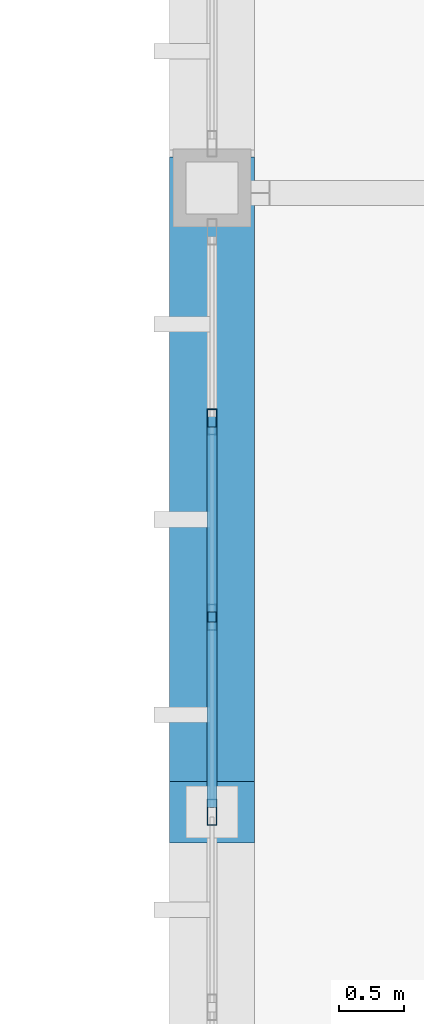
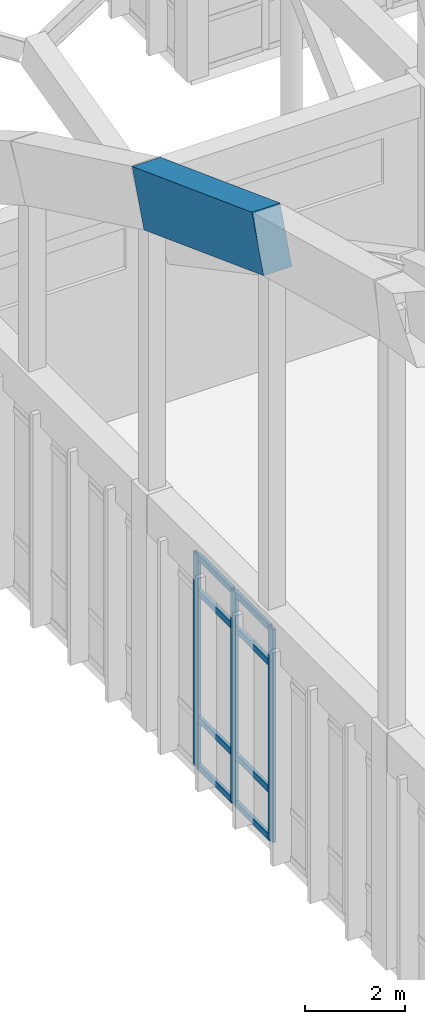
# One storey, part 66 of 236: 12 members, 1 element without a shape of its own.
"""IFC4 building model written with IfcOpenShell, lengths in metres."""

from ifc_helpers import new_model, si_unit, direction, frame, origin, origin_2d, place, context, subcontext, project, spatial, rectangle, hollow_rectangle, extrude, material, layer, layer_set, material_profile, profile_set, type_object, element, aggregate, save


model = new_model("IFC4")

# Units and contexts
model_context = context("Model", 3, precision=1e-05, world=origin(), true_north=direction((0.0, 1.0)))
body_context = subcontext(model_context, "Body", "Model", "MODEL_VIEW")
ifc_project = project(units=[si_unit("LENGTHUNIT", "METRE"), si_unit("AREAUNIT", "SQUARE_METRE"), si_unit("VOLUMEUNIT", "CUBIC_METRE"), si_unit("PLANEANGLEUNIT", "RADIAN"), si_unit("MASSUNIT", "GRAM", prefix="KILO")], contexts=[model_context])

# Site, building, storey
site_placement = place(None, origin())
site = spatial("IfcSite", under=ifc_project, at=site_placement, CompositionType="ELEMENT")
building_placement = place(site_placement, origin())
building = spatial("IfcBuilding", under=site, at=building_placement, Name="Pandanus Reach Market Hall", CompositionType="ELEMENT")
storey_placement = place(building_placement, frame((0.0, 0.0, 5.39990234375)))
storey = spatial("IfcBuildingStorey", under=building, at=storey_placement, Name="L01", CompositionType="ELEMENT", Elevation=5.39990234375)

# Member
ifc_material_1 = material(Name="Concrete N50 (50 MPa)", Category="concrete")
ifc_material_profile_1 = material_profile(ifc_material_1, rectangle(XDim=0.64990234375, YDim=1.35009765625, at=origin_2d()), Name="RC650x1350", Category="LoadBearing")
ifc_profile_set_1 = profile_set([ifc_material_profile_1], Name="Concrete N50 (50 MPa)")
member_type_1 = type_object("IfcMemberType", Name="AR-RC650-E", PredefinedType="CHORD", material=ifc_profile_set_1)
member_1_placement = place(storey_placement, frame((48.0, 72.0, 14.68017578125), z_axis=(0.0, 0.937030438748, -0.349247701294), x_axis=(-1.0, 0.0, 0.0)))
element("IfcMember", 1, at=member_1_placement, inside=storey, type_object=member_type_1, Name="Parabolic arch top chord A1.10", PredefinedType="CHORD", context=body_context, shape_type="SweptSolid", body=[
    extrude(rectangle(XDim=0.64990234375, YDim=1.35009765625, at=origin_2d()), origin(), (0.0, 0.0, 1.0), 5.12255859375),
])

# Curtain wall, members
ifc_material_2 = material(Name="Bronze anodised aluminium and low-E glass", Category="aluminium")
ifc_layer = layer(ifc_material_2, 0.199951171875, Name="CW-05")
ifc_layer_set = layer_set([ifc_layer], Name="Bronze anodised aluminium and low-E glass")
curtain_wall_type = type_object("IfcCurtainWallType", Name="CW-05", PredefinedType="NOTDEFINED", material=ifc_layer_set)
curtain_wall_placement = place(storey_placement, origin())
curtain_wall = element("IfcCurtainWall", 2, at=curtain_wall_placement, inside=storey, type_object=curtain_wall_type, Name="Glazed curtain wall CW-05 CW-0032", PredefinedType="NOTDEFINED")
ifc_material_3 = material(Name="Bronze anodised aluminium", Category="aluminium")
ifc_material_profile_2 = material_profile(ifc_material_3, hollow_rectangle(XDim=0.074951171875, YDim=0.199951171875, WallThickness=0.00439453125, at=origin_2d()), Name="ALU75x200", Category="LoadBearing")
ifc_profile_set_2 = profile_set([ifc_material_profile_2], Name="Bronze anodised aluminium")
member_type_2 = type_object("IfcMemberType", Name="CW-M2", PredefinedType="MULLION", material=ifc_profile_set_2)
member_2_placement = place(storey_placement, frame((48.0, 72.0, 0.0), z_axis=(0.0, 0.0, 1.0), x_axis=(-1.0, 0.0, 0.0)))
member_2 = element("IfcMember", 3, at=member_2_placement, type_object=member_type_2, Name="CW-05 mullion 4", PredefinedType="MULLION", context=body_context, shape_type="SweptSolid", body=[
    extrude(hollow_rectangle(XDim=0.074951171875, YDim=0.199951171875, WallThickness=0.00439453125, at=origin_2d()), origin(), (0.0, 0.0, 1.0), 5.2001953125),
])
member_3_placement = place(storey_placement, frame((48.0, 73.5, 0.0), z_axis=(0.0, 0.0, 1.0), x_axis=(-1.0, 0.0, 0.0)))
member_3 = element("IfcMember", 4, at=member_3_placement, type_object=member_type_2, Name="CW-05 mullion 5", PredefinedType="MULLION", context=body_context, shape_type="SweptSolid", body=[
    extrude(hollow_rectangle(XDim=0.074951171875, YDim=0.199951171875, WallThickness=0.00439453125, at=origin_2d()), origin(), (0.0, 0.0, 1.0), 5.2001953125),
])
member_4_placement = place(storey_placement, frame((48.0, 75.0, 0.0), z_axis=(0.0, 0.0, 1.0), x_axis=(-1.0, 0.0, 0.0)))
member_4 = element("IfcMember", 5, at=member_4_placement, type_object=member_type_2, Name="CW-05 mullion 6", PredefinedType="MULLION", context=body_context, shape_type="SweptSolid", body=[
    extrude(hollow_rectangle(XDim=0.074951171875, YDim=0.199951171875, WallThickness=0.00439453125, at=origin_2d()), origin(), (0.0, 0.0, 1.0), 5.2001953125),
])
ifc_material_profile_3 = material_profile(ifc_material_3, hollow_rectangle(XDim=0.074951171875, YDim=0.14990234375, WallThickness=0.00439453125, at=origin_2d()), Name="ALU75x150", Category="LoadBearing")
ifc_profile_set_3 = profile_set([ifc_material_profile_3], Name="Bronze anodised aluminium")
member_type_3 = type_object("IfcMemberType", Name="CW-T2", PredefinedType="USERDEFINED", material=ifc_profile_set_3)
member_5_placement = place(storey_placement, frame((48.0, 72.03759765625, 0.03759765625), z_axis=(0.0, 1.0, 0.0), x_axis=(-1.0, 0.0, 0.0)))
member_5 = element("IfcMember", 6, at=member_5_placement, type_object=member_type_3, Name="CW-05 transom 4.1", ObjectType="TRANSOM", PredefinedType="USERDEFINED", context=body_context, shape_type="SweptSolid", body=[
    extrude(hollow_rectangle(XDim=0.074951171875, YDim=0.14990234375, WallThickness=0.00439453125, at=origin_2d()), origin(), (0.0, 0.0, 1.0), 1.4248046875),
])
member_6_placement = place(storey_placement, frame((48.0, 72.03759765625, 1.2001953125), z_axis=(0.0, 1.0, 0.0), x_axis=(-1.0, 0.0, 0.0)))
member_6 = element("IfcMember", 7, at=member_6_placement, type_object=member_type_3, Name="CW-05 transom 4.2", ObjectType="TRANSOM", PredefinedType="USERDEFINED", context=body_context, shape_type="SweptSolid", body=[
    extrude(hollow_rectangle(XDim=0.074951171875, YDim=0.14990234375, WallThickness=0.00439453125, at=origin_2d()), origin(), (0.0, 0.0, 1.0), 1.4248046875),
])
member_7_placement = place(storey_placement, frame((48.0, 72.03759765625, 4.300048828125), z_axis=(0.0, 1.0, 0.0), x_axis=(-1.0, 0.0, 0.0)))
member_7 = element("IfcMember", 8, at=member_7_placement, type_object=member_type_3, Name="CW-05 transom 4.3", ObjectType="TRANSOM", PredefinedType="USERDEFINED", context=body_context, shape_type="SweptSolid", body=[
    extrude(hollow_rectangle(XDim=0.074951171875, YDim=0.14990234375, WallThickness=0.00439453125, at=origin_2d()), origin(), (0.0, 0.0, 1.0), 1.4248046875),
])
member_8_placement = place(storey_placement, frame((48.0, 72.03759765625, 5.16259765625), z_axis=(0.0, 1.0, 0.0), x_axis=(-1.0, 0.0, 0.0)))
member_8 = element("IfcMember", 9, at=member_8_placement, type_object=member_type_3, Name="CW-05 transom 4.4", ObjectType="TRANSOM", PredefinedType="USERDEFINED", context=body_context, shape_type="SweptSolid", body=[
    extrude(hollow_rectangle(XDim=0.074951171875, YDim=0.14990234375, WallThickness=0.00439453125, at=origin_2d()), origin(), (0.0, 0.0, 1.0), 1.4248046875),
])
member_9_placement = place(storey_placement, frame((48.0, 73.53759765625, 0.03759765625), z_axis=(0.0, 1.0, 0.0), x_axis=(-1.0, 0.0, 0.0)))
member_9 = element("IfcMember", 10, at=member_9_placement, type_object=member_type_3, Name="CW-05 transom 5.1", ObjectType="TRANSOM", PredefinedType="USERDEFINED", context=body_context, shape_type="SweptSolid", body=[
    extrude(hollow_rectangle(XDim=0.074951171875, YDim=0.14990234375, WallThickness=0.00439453125, at=origin_2d()), origin(), (0.0, 0.0, 1.0), 1.4248046875),
])
member_10_placement = place(storey_placement, frame((48.0, 73.53759765625, 1.2001953125), z_axis=(0.0, 1.0, 0.0), x_axis=(-1.0, 0.0, 0.0)))
member_10 = element("IfcMember", 11, at=member_10_placement, type_object=member_type_3, Name="CW-05 transom 5.2", ObjectType="TRANSOM", PredefinedType="USERDEFINED", context=body_context, shape_type="SweptSolid", body=[
    extrude(hollow_rectangle(XDim=0.074951171875, YDim=0.14990234375, WallThickness=0.00439453125, at=origin_2d()), origin(), (0.0, 0.0, 1.0), 1.4248046875),
])
member_11_placement = place(storey_placement, frame((48.0, 73.53759765625, 4.300048828125), z_axis=(0.0, 1.0, 0.0), x_axis=(-1.0, 0.0, 0.0)))
member_11 = element("IfcMember", 12, at=member_11_placement, type_object=member_type_3, Name="CW-05 transom 5.3", ObjectType="TRANSOM", PredefinedType="USERDEFINED", context=body_context, shape_type="SweptSolid", body=[
    extrude(hollow_rectangle(XDim=0.074951171875, YDim=0.14990234375, WallThickness=0.00439453125, at=origin_2d()), origin(), (0.0, 0.0, 1.0), 1.4248046875),
])
member_12_placement = place(storey_placement, frame((48.0, 73.53759765625, 5.16259765625), z_axis=(0.0, 1.0, 0.0), x_axis=(-1.0, 0.0, 0.0)))
member_12 = element("IfcMember", 13, at=member_12_placement, type_object=member_type_3, Name="CW-05 transom 5.4", ObjectType="TRANSOM", PredefinedType="USERDEFINED", context=body_context, shape_type="SweptSolid", body=[
    extrude(hollow_rectangle(XDim=0.074951171875, YDim=0.14990234375, WallThickness=0.00439453125, at=origin_2d()), origin(), (0.0, 0.0, 1.0), 1.4248046875),
])
aggregate(curtain_wall, [member_2, member_3, member_4, member_5, member_6, member_7, member_8, member_9, member_10, member_11, member_12])

save(model, "model.ifc")
